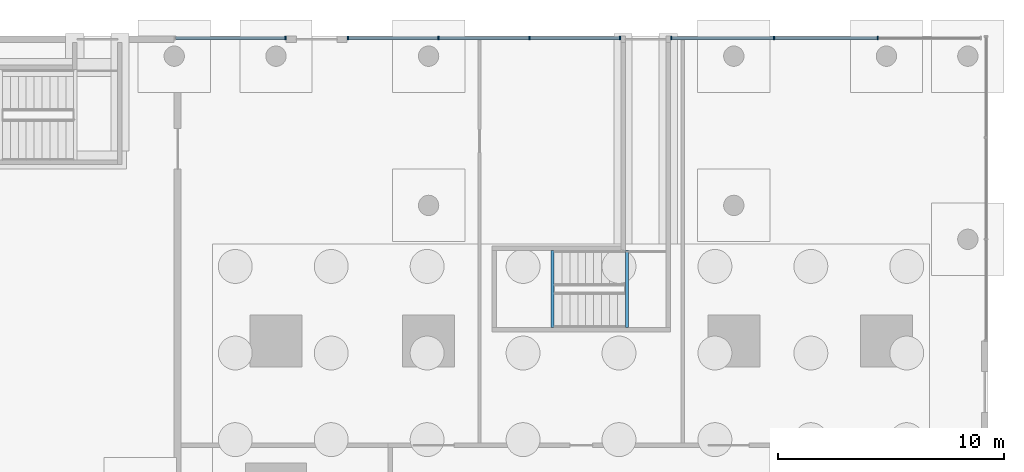
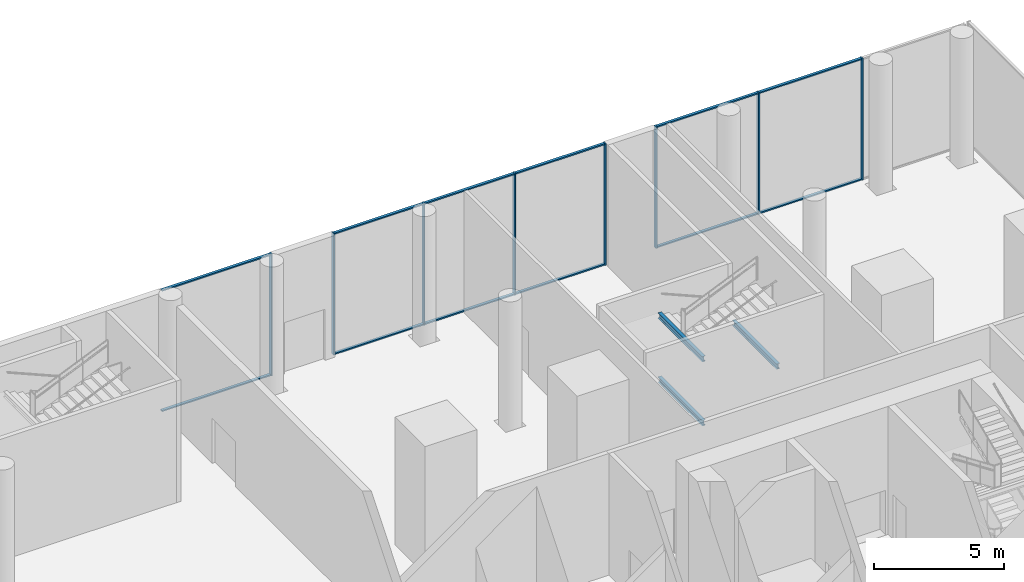
# One storey, part 13 of 31: 20 members, 3 beams, 3 elements without a shape of their own.
"""IFC4 building model written with IfcOpenShell, lengths in metres."""

from ifc_helpers import new_model, si_unit, direction, frame, origin, origin_2d, place, context, subcontext, project, spatial, rectangle, i_section, extrude, material, layer, layer_set, material_profile, profile_set, type_object, element, aggregate, save


model = new_model("IFC4")

# Units and contexts
model_context = context("Model", 3, precision=1e-05, world=origin(), true_north=direction((0.0, 1.0)))
body_context = subcontext(model_context, "Body", "Model", "MODEL_VIEW")
ifc_project = project(units=[si_unit("LENGTHUNIT", "METRE"), si_unit("AREAUNIT", "SQUARE_METRE"), si_unit("VOLUMEUNIT", "CUBIC_METRE"), si_unit("PLANEANGLEUNIT", "RADIAN"), si_unit("MASSUNIT", "GRAM", prefix="KILO")], contexts=[model_context])

# Site, building, storey
site_placement = place(None, origin())
site = spatial("IfcSite", under=ifc_project, at=site_placement, CompositionType="ELEMENT")
building_placement = place(site_placement, origin())
building = spatial("IfcBuilding", under=site, at=building_placement, Name="Namib Vertical Campus", CompositionType="ELEMENT")
storey_placement = place(building_placement, origin())
storey = spatial("IfcBuildingStorey", under=building, at=storey_placement, Name="L00", CompositionType="ELEMENT", Elevation=0.0)

# Curtain wall, member
ifc_material_1 = material(Name="Black aluminium curtain wall", Category="aluminium")
ifc_layer = layer(ifc_material_1, 0.199951171875)
ifc_layer_set = layer_set([ifc_layer], Name="Entrance curtain wall CW-EN")
curtain_wall_type = type_object("IfcCurtainWallType", Name="Entrance curtain wall CW-EN", PredefinedType="USERDEFINED", material=ifc_layer_set)
curtain_wall_1_placement = place(storey_placement, origin())
curtain_wall_1 = element("IfcCurtainWall", 1, at=curtain_wall_1_placement, inside=storey, type_object=curtain_wall_type, Name="Curtain wall CW-EN L00 11-1", ObjectType="CURTAIN WALL", PredefinedType="USERDEFINED")
ifc_material_2 = material(Name="Black anodised aluminium", Category="aluminium")
ifc_material_profile_1 = material_profile(ifc_material_2, rectangle(XDim=0.06005859375, YDim=0.159912109375, at=origin_2d()))
ifc_profile_set_1 = profile_set([ifc_material_profile_1], Name="Black anodised aluminium")
member_type_1 = type_object("IfcMemberType", Name="Curtain wall mullion 60x160", PredefinedType="MULLION", material=ifc_profile_set_1)
member_1_placement = place(storey_placement, frame((67.919921875, 49.39990234375, 0.0), z_axis=(0.0, 0.0, 1.0), x_axis=(-1.0, 0.0, 0.0)))
member_1 = element("IfcMember", 2, at=member_1_placement, type_object=member_type_1, Name="CW-EN mullion 1", PredefinedType="MULLION", context=body_context, shape_type="SweptSolid", body=[
    extrude(rectangle(XDim=0.06005859375, YDim=0.159912109375, at=origin_2d()), origin(), (0.0, 0.0, 1.0), 5.699951171875),
])

# Curtain wall, members
curtain_wall_2_placement = place(storey_placement, origin())
curtain_wall_2 = element("IfcCurtainWall", 3, at=curtain_wall_2_placement, inside=storey, type_object=curtain_wall_type, Name="Curtain wall CW-EN L00 13-1", ObjectType="CURTAIN WALL", PredefinedType="USERDEFINED")
member_2_placement = place(storey_placement, frame((82.719970703125, 49.39990234375, 0.0), z_axis=(0.0, 0.0, 1.0), x_axis=(-1.0, 0.0, 0.0)))
member_2 = element("IfcMember", 4, at=member_2_placement, type_object=member_type_1, Name="CW-EN mullion 1", PredefinedType="MULLION", context=body_context, shape_type="SweptSolid", body=[
    extrude(rectangle(XDim=0.06005859375, YDim=0.159912109375, at=origin_2d()), origin(), (0.0, 0.0, 1.0), 5.699951171875),
])
member_3_placement = place(storey_placement, frame((78.716552734375, 49.39990234375, 0.0), z_axis=(0.0, 0.0, 1.0), x_axis=(-1.0, 0.0, 0.0)))
member_3 = element("IfcMember", 5, at=member_3_placement, type_object=member_type_1, Name="CW-EN mullion 2", PredefinedType="MULLION", context=body_context, shape_type="SweptSolid", body=[
    extrude(rectangle(XDim=0.06005859375, YDim=0.159912109375, at=origin_2d()), origin(), (0.0, 0.0, 1.0), 5.699951171875),
])
member_4_placement = place(storey_placement, frame((74.683349609375, 49.39990234375, 0.0), z_axis=(0.0, 0.0, 1.0), x_axis=(-1.0, 0.0, 0.0)))
member_4 = element("IfcMember", 6, at=member_4_placement, type_object=member_type_1, Name="CW-EN mullion 3", PredefinedType="MULLION", context=body_context, shape_type="SweptSolid", body=[
    extrude(rectangle(XDim=0.06005859375, YDim=0.159912109375, at=origin_2d()), origin(), (0.0, 0.0, 1.0), 5.699951171875),
])
member_5_placement = place(storey_placement, frame((70.679931640625, 49.39990234375, 0.0), z_axis=(0.0, 0.0, 1.0), x_axis=(-1.0, 0.0, 0.0)))
member_5 = element("IfcMember", 7, at=member_5_placement, type_object=member_type_1, Name="CW-EN mullion 4", PredefinedType="MULLION", context=body_context, shape_type="SweptSolid", body=[
    extrude(rectangle(XDim=0.06005859375, YDim=0.159912109375, at=origin_2d()), origin(), (0.0, 0.0, 1.0), 5.699951171875),
])

curtain_wall_3_placement = place(storey_placement, origin())
curtain_wall_3 = element("IfcCurtainWall", 8, at=curtain_wall_3_placement, inside=storey, type_object=curtain_wall_type, Name="Curtain wall CW-EN L00 15-1", ObjectType="CURTAIN WALL", PredefinedType="USERDEFINED")
member_6_placement = place(storey_placement, frame((94.11669921875, 49.39990234375, 0.0), z_axis=(0.0, 0.0, 1.0), x_axis=(-1.0, 0.0, 0.0)))
member_6 = element("IfcMember", 9, at=member_6_placement, type_object=member_type_1, Name="CW-EN mullion 2", PredefinedType="MULLION", context=body_context, shape_type="SweptSolid", body=[
    extrude(rectangle(XDim=0.06005859375, YDim=0.159912109375, at=origin_2d()), origin(), (0.0, 0.0, 1.0), 5.699951171875),
])
member_7_placement = place(storey_placement, frame((89.533447265625, 49.39990234375, 0.0), z_axis=(0.0, 0.0, 1.0), x_axis=(-1.0, 0.0, 0.0)))
member_7 = element("IfcMember", 10, at=member_7_placement, type_object=member_type_1, Name="CW-EN mullion 3", PredefinedType="MULLION", context=body_context, shape_type="SweptSolid", body=[
    extrude(rectangle(XDim=0.06005859375, YDim=0.159912109375, at=origin_2d()), origin(), (0.0, 0.0, 1.0), 5.699951171875),
])
member_8_placement = place(storey_placement, frame((84.97998046875, 49.39990234375, 0.0), z_axis=(0.0, 0.0, 1.0), x_axis=(-1.0, 0.0, 0.0)))
member_8 = element("IfcMember", 11, at=member_8_placement, type_object=member_type_1, Name="CW-EN mullion 4", PredefinedType="MULLION", context=body_context, shape_type="SweptSolid", body=[
    extrude(rectangle(XDim=0.06005859375, YDim=0.159912109375, at=origin_2d()), origin(), (0.0, 0.0, 1.0), 5.699951171875),
])

# Member
ifc_material_3 = material(Name="Black anodised aluminium", Category="aluminium")
ifc_material_profile_2 = material_profile(ifc_material_3, rectangle(XDim=0.06005859375, YDim=0.1201171875, at=origin_2d()))
ifc_profile_set_2 = profile_set([ifc_material_profile_2], Name="Black anodised aluminium")
member_type_2 = type_object("IfcMemberType", Name="Curtain wall transom 60x120", PredefinedType="USERDEFINED", material=ifc_profile_set_2)
member_9_placement = place(storey_placement, frame((67.889892578125, 49.39990234375, 0.030029296875), z_axis=(-1.0, 0.0, 0.0), x_axis=(0.0, 0.0, 1.0)))
member_9 = element("IfcMember", 12, at=member_9_placement, type_object=member_type_2, Name="CW-EN transom 1.1", ObjectType="TRANSOM", PredefinedType="USERDEFINED", context=body_context, shape_type="SweptSolid", body=[
    extrude(rectangle(XDim=0.06005859375, YDim=0.1201171875, at=origin_2d()), origin(), (0.0, 0.0, 1.0), 4.829833984375),
])

member_10_placement = place(storey_placement, frame((67.889892578125, 49.39990234375, 5.669921875), z_axis=(-1.0, 0.0, 0.0), x_axis=(0.0, 0.0, 1.0)))
member_10 = element("IfcMember", 13, at=member_10_placement, type_object=member_type_2, Name="CW-EN transom 1.2", ObjectType="TRANSOM", PredefinedType="USERDEFINED", context=body_context, shape_type="SweptSolid", body=[
    extrude(rectangle(XDim=0.06005859375, YDim=0.1201171875, at=origin_2d()), origin(), (0.0, 0.0, 1.0), 4.829833984375),
])

aggregate(curtain_wall_1, [member_1, member_9, member_10])

member_11_placement = place(storey_placement, frame((82.68994140625, 49.39990234375, 0.030029296875), z_axis=(-1.0, 0.0, 0.0), x_axis=(0.0, 0.0, 1.0)))
member_11 = element("IfcMember", 14, at=member_11_placement, type_object=member_type_2, Name="CW-EN transom 1.1", ObjectType="TRANSOM", PredefinedType="USERDEFINED", context=body_context, shape_type="SweptSolid", body=[
    extrude(rectangle(XDim=0.06005859375, YDim=0.1201171875, at=origin_2d()), origin(), (0.0, 0.0, 1.0), 3.943359375),
])

member_12_placement = place(storey_placement, frame((82.68994140625, 49.39990234375, 5.669921875), z_axis=(-1.0, 0.0, 0.0), x_axis=(0.0, 0.0, 1.0)))
member_12 = element("IfcMember", 15, at=member_12_placement, type_object=member_type_2, Name="CW-EN transom 1.2", ObjectType="TRANSOM", PredefinedType="USERDEFINED", context=body_context, shape_type="SweptSolid", body=[
    extrude(rectangle(XDim=0.06005859375, YDim=0.1201171875, at=origin_2d()), origin(), (0.0, 0.0, 1.0), 3.943359375),
])

member_13_placement = place(storey_placement, frame((78.686767578125, 49.39990234375, 0.030029296875), z_axis=(-1.0, 0.0, 0.0), x_axis=(0.0, 0.0, 1.0)))
member_13 = element("IfcMember", 16, at=member_13_placement, type_object=member_type_2, Name="CW-EN transom 2.1", ObjectType="TRANSOM", PredefinedType="USERDEFINED", context=body_context, shape_type="SweptSolid", body=[
    extrude(rectangle(XDim=0.06005859375, YDim=0.1201171875, at=origin_2d()), origin(), (0.0, 0.0, 1.0), 3.973388671875),
])

member_14_placement = place(storey_placement, frame((78.686767578125, 49.39990234375, 5.669921875), z_axis=(-1.0, 0.0, 0.0), x_axis=(0.0, 0.0, 1.0)))
member_14 = element("IfcMember", 17, at=member_14_placement, type_object=member_type_2, Name="CW-EN transom 2.2", ObjectType="TRANSOM", PredefinedType="USERDEFINED", context=body_context, shape_type="SweptSolid", body=[
    extrude(rectangle(XDim=0.06005859375, YDim=0.1201171875, at=origin_2d()), origin(), (0.0, 0.0, 1.0), 3.973388671875),
])

member_15_placement = place(storey_placement, frame((74.6533203125, 49.39990234375, 0.030029296875), z_axis=(-1.0, 0.0, 0.0), x_axis=(0.0, 0.0, 1.0)))
member_15 = element("IfcMember", 18, at=member_15_placement, type_object=member_type_2, Name="CW-EN transom 3.1", ObjectType="TRANSOM", PredefinedType="USERDEFINED", context=body_context, shape_type="SweptSolid", body=[
    extrude(rectangle(XDim=0.06005859375, YDim=0.1201171875, at=origin_2d()), origin(), (0.0, 0.0, 1.0), 3.943359375),
])

member_16_placement = place(storey_placement, frame((74.6533203125, 49.39990234375, 5.669921875), z_axis=(-1.0, 0.0, 0.0), x_axis=(0.0, 0.0, 1.0)))
member_16 = element("IfcMember", 19, at=member_16_placement, type_object=member_type_2, Name="CW-EN transom 3.2", ObjectType="TRANSOM", PredefinedType="USERDEFINED", context=body_context, shape_type="SweptSolid", body=[
    extrude(rectangle(XDim=0.06005859375, YDim=0.1201171875, at=origin_2d()), origin(), (0.0, 0.0, 1.0), 3.943359375),
])

aggregate(curtain_wall_2, [member_2, member_3, member_4, member_5, member_11, member_12, member_13, member_14, member_15, member_16])

member_17_placement = place(storey_placement, frame((94.086669921875, 49.39990234375, 0.030029296875), z_axis=(-1.0, 0.0, 0.0), x_axis=(0.0, 0.0, 1.0)))
member_17 = element("IfcMember", 20, at=member_17_placement, type_object=member_type_2, Name="CW-EN transom 2.1", ObjectType="TRANSOM", PredefinedType="USERDEFINED", context=body_context, shape_type="SweptSolid", body=[
    extrude(rectangle(XDim=0.06005859375, YDim=0.1201171875, at=origin_2d()), origin(), (0.0, 0.0, 1.0), 4.5234375),
])

member_18_placement = place(storey_placement, frame((94.086669921875, 49.39990234375, 5.669921875), z_axis=(-1.0, 0.0, 0.0), x_axis=(0.0, 0.0, 1.0)))
member_18 = element("IfcMember", 21, at=member_18_placement, type_object=member_type_2, Name="CW-EN transom 2.2", ObjectType="TRANSOM", PredefinedType="USERDEFINED", context=body_context, shape_type="SweptSolid", body=[
    extrude(rectangle(XDim=0.06005859375, YDim=0.1201171875, at=origin_2d()), origin(), (0.0, 0.0, 1.0), 4.5234375),
])

member_19_placement = place(storey_placement, frame((89.50341796875, 49.39990234375, 0.030029296875), z_axis=(-1.0, 0.0, 0.0), x_axis=(0.0, 0.0, 1.0)))
member_19 = element("IfcMember", 22, at=member_19_placement, type_object=member_type_2, Name="CW-EN transom 3.1", ObjectType="TRANSOM", PredefinedType="USERDEFINED", context=body_context, shape_type="SweptSolid", body=[
    extrude(rectangle(XDim=0.06005859375, YDim=0.1201171875, at=origin_2d()), origin(), (0.0, 0.0, 1.0), 4.493408203125),
])

member_20_placement = place(storey_placement, frame((89.50341796875, 49.39990234375, 5.669921875), z_axis=(-1.0, 0.0, 0.0), x_axis=(0.0, 0.0, 1.0)))
member_20 = element("IfcMember", 23, at=member_20_placement, type_object=member_type_2, Name="CW-EN transom 3.2", ObjectType="TRANSOM", PredefinedType="USERDEFINED", context=body_context, shape_type="SweptSolid", body=[
    extrude(rectangle(XDim=0.06005859375, YDim=0.1201171875, at=origin_2d()), origin(), (0.0, 0.0, 1.0), 4.493408203125),
])

aggregate(curtain_wall_3, [member_6, member_7, member_8, member_17, member_18, member_19, member_20])

# Beams
ifc_material_4 = material(Name="Steel S355JR", Category="steel")
ifc_material_profile_3 = material_profile(ifc_material_4, i_section(OverallWidth=0.14599609375, OverallDepth=0.25146484375, WebThickness=0.006103515625, FlangeThickness=0.008544921875, FilletRadius=0.007568359375, at=origin_2d()))
ifc_profile_set_3 = profile_set([ifc_material_profile_3], Name="Steel S355JR")
beam_type = type_object("IfcBeamType", Name="Landing trimmer UB 254x146x31", PredefinedType="BEAM", material=ifc_profile_set_3)
for number, where, z_axis, x_axis, name in (
    (24, (79.72705078125, 36.60009765625, 1.374267578125), (0.0, 1.0, 0.0), (-1.0, 0.0, 0.0), "Landing trimmer LT1 B-S3 L00 1"),
    (25, (83.02294921875, 36.60009765625, 2.874267578125), (0.0, 1.0, 0.0), (-1.0, 0.0, 0.0), "Landing trimmer LT1 B-S3 L00 2"),
    (26, (79.72705078125, 36.60009765625, 4.374267578125), (0.0, 1.0, 0.0), (-1.0, 0.0, 0.0), "Landing trimmer LT1 B-S3 L00 3"),
):
    element("IfcBeam", number, at=place(storey_placement, frame(where, z_axis=z_axis, x_axis=x_axis)), inside=storey, type_object=beam_type, Name=name, PredefinedType="BEAM", context=body_context, shape_type="SweptSolid", body=[
        extrude(i_section(OverallWidth=0.14599609375, OverallDepth=0.25146484375, WebThickness=0.006103515625, FlangeThickness=0.008544921875, FilletRadius=0.007568359375, at=origin_2d()), origin(), (0.0, 0.0, 1.0), 3.39990234375),
    ])

save(model, "model.ifc")
